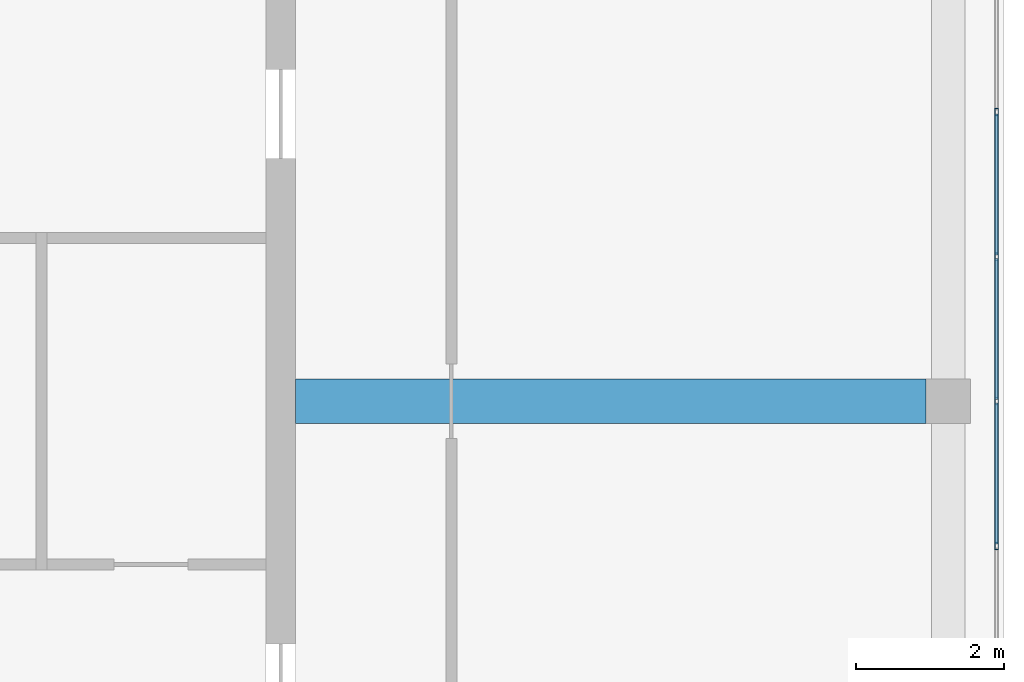
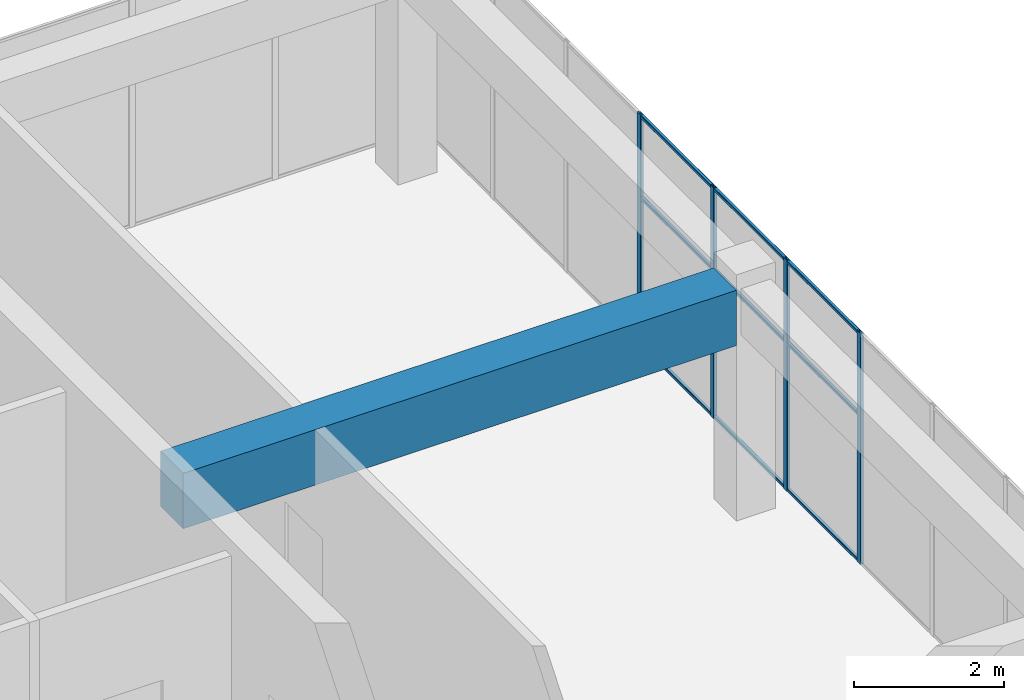
# One storey, part 15 of 32: 13 members, 1 beam, 1 element without a shape of its own.
"""IFC4 building model written with IfcOpenShell, lengths in metres."""

import ifcopenshell
import ifcopenshell.guid

model = None  # the IFC model being written
_history = None  # IfcOwnerHistory: only IFC2X3 demands one
_inside = {}  # id of a spatial element -> (the spatial element, [elements in it])
_under = {}  # id of a project, library or spatial element -> (it, [spatial elements below it])
_declared = {}  # id of a project -> (the project, [libraries it declares])
_typed = {}  # id of a type object -> (the type object, [elements of that type])
_made_of = {}  # id of a material, layer set ... -> (it, [elements and type objects made of it])


def new_model(schema):
    """Start an empty IFC model of exactly this schema.

    Asked for "IFC4X3", IfcOpenShell would pick the latest addendum, in which some entities
    have other attributes; the version numbers below select the first issue.
    IFC2X3 requires an IfcOwnerHistory on every rooted entity: one is made here for all.
    """
    global model, _history
    if schema == "IFC4X3":
        model = ifcopenshell.file(schema_version=(4, 3, 0, 0))
    else:
        model = ifcopenshell.file(schema=schema)
    _inside.clear()
    _under.clear()
    _declared.clear()
    _typed.clear()
    _made_of.clear()
    _history = None
    if model.schema == "IFC2X3":
        org = make("IfcOrganization", Name="unknown")
        user = make(
            "IfcPersonAndOrganization",
            ThePerson=make("IfcPerson", FamilyName="unknown"),
            TheOrganization=org,
        )
        app = make(
            "IfcApplication",
            ApplicationDeveloper=org,
            Version="unknown",
            ApplicationFullName="unknown",
            ApplicationIdentifier="unknown",
        )
        _history = make(
            "IfcOwnerHistory",
            OwningUser=user,
            OwningApplication=app,
            ChangeAction="ADDED",
            CreationDate=0,
        )
    return model


def make(cls, **values):
    """One entity of the class cls with the attributes given. An attribute that is None is left unset."""
    return model.create_entity(
        cls, **{name: value for name, value in values.items() if value is not None}
    )


def rooted(cls, **values):
    """An entity with a GlobalId (a new one), such as an element, a storey or a relation."""
    return make(cls, GlobalId=ifcopenshell.guid.new(), OwnerHistory=_history, **values)


def si_unit(unit_type, name, prefix=None):
    """IfcSIUnit, for example si_unit("LENGTHUNIT", "METRE", prefix="MILLI")."""
    return make("IfcSIUnit", UnitType=unit_type, Prefix=prefix, Name=name)


def assignment(units):
    """IfcUnitAssignment: the units of a project."""
    return None if units is None else make("IfcUnitAssignment", Units=units)


def point(xyz):
    """IfcCartesianPoint."""
    return None if xyz is None else make("IfcCartesianPoint", Coordinates=xyz)


def direction(xyz):
    """IfcDirection."""
    return None if xyz is None else make("IfcDirection", DirectionRatios=xyz)


def frame(location, z_axis=None, x_axis=None):
    """IfcAxis2Placement3D, a coordinate frame: its origin and axes. An axis left out is left unset."""
    return make(
        "IfcAxis2Placement3D",
        Location=point(location),
        Axis=direction(z_axis),
        RefDirection=direction(x_axis),
    )


def frame_2d(location, x_axis=None):
    """IfcAxis2Placement2D, a coordinate frame in the plane: its origin and x axis."""
    return make(
        "IfcAxis2Placement2D", Location=point(location), RefDirection=direction(x_axis)
    )


def origin():
    """The frame at (0, 0, 0) with its axes left unset."""
    return frame((0.0, 0.0, 0.0))


def origin_2d():
    """The frame at (0, 0) in the plane with its x axis left unset."""
    return frame_2d((0.0, 0.0))


def place(relative_to, where):
    """IfcLocalPlacement: puts the frame where relative to a parent placement (None: the world)."""
    return make(
        "IfcLocalPlacement", PlacementRelTo=relative_to, RelativePlacement=where
    )


def context(
    kind, dimensions, precision=None, world=None, true_north=None, identifier=None
):
    """IfcGeometricRepresentationContext, for example the 3D "Model" context."""
    return make(
        "IfcGeometricRepresentationContext",
        ContextIdentifier=identifier,
        ContextType=kind,
        CoordinateSpaceDimension=dimensions,
        Precision=precision,
        WorldCoordinateSystem=world,
        TrueNorth=true_north,
    )


def subcontext(parent, identifier, kind, view, scale=None):
    """IfcGeometricRepresentationSubContext, for example "Body" below "Model"."""
    return make(
        "IfcGeometricRepresentationSubContext",
        ContextIdentifier=identifier,
        ContextType=kind,
        ParentContext=parent,
        TargetScale=scale,
        TargetView=view,
    )


def project(units=None, contexts=None):
    """IfcProject with its units and contexts."""
    return rooted(
        "IfcProject",
        Name="project",
        RepresentationContexts=contexts,
        UnitsInContext=assignment(units),
    )


def spatial(cls, under=None, at=None, **own):
    """A site, building, storey or space (cls), placed at a placement, below another one or the project."""
    s = rooted(cls, ObjectPlacement=at, **own)
    if under is not None:
        _under.setdefault(under.id(), (under, []))[1].append(s)
    return s


def profile(cls, at=None, kind="AREA", **sizes):
    """A parametric profile (cls). Its sizes go by their IFC names, for example OverallWidth=200.0."""
    return make(cls, ProfileType=kind, Position=at, **sizes)


def rectangle(**sizes):
    """IfcRectangleProfileDef."""
    return profile("IfcRectangleProfileDef", **sizes)


def hollow_rectangle(**sizes):
    """IfcRectangleHollowProfileDef."""
    return profile("IfcRectangleHollowProfileDef", **sizes)


def extrude(swept, where, along, depth):
    """IfcExtrudedAreaSolid: the profile swept, set in the frame where, extruded along a direction by depth."""
    return make(
        "IfcExtrudedAreaSolid",
        SweptArea=swept,
        Position=where,
        ExtrudedDirection=direction(along),
        Depth=depth,
    )


def shape(context_of_items, identifier, shape_type, items):
    """IfcShapeRepresentation: the items that make up one representation, for example the "Body"."""
    return make(
        "IfcShapeRepresentation",
        ContextOfItems=context_of_items,
        RepresentationIdentifier=identifier,
        RepresentationType=shape_type,
        Items=items,
    )


def material(Name=None, Category=None):
    """IfcMaterial."""
    return make("IfcMaterial", Name=Name, Category=Category)


def layer(
    of_material, thickness, ventilated=None, Name=None, Category=None, Priority=None
):
    """IfcMaterialLayer: one layer of a wall or slab, of a material (None: an air gap)."""
    return make(
        "IfcMaterialLayer",
        Material=of_material,
        LayerThickness=thickness,
        IsVentilated=ventilated,
        Name=Name,
        Category=Category,
        Priority=Priority,
    )


def layer_set(layers, Name=None):
    """IfcMaterialLayerSet."""
    return make("IfcMaterialLayerSet", MaterialLayers=layers, LayerSetName=Name)


def material_profile(
    of_material, cross_section, Name=None, Category=None, Priority=None
):
    """IfcMaterialProfile: a cross section and its material."""
    return make(
        "IfcMaterialProfile",
        Name=Name,
        Material=of_material,
        Profile=cross_section,
        Priority=Priority,
        Category=Category,
    )


def profile_set(profiles, Name=None, composite=None):
    """IfcMaterialProfileSet."""
    return make(
        "IfcMaterialProfileSet",
        Name=Name,
        MaterialProfiles=profiles,
        CompositeProfile=composite,
    )


def made_of(thing, what):
    """Note that an element or type object is made of a material, layer set ...; save() writes the relation."""
    if what is not None:
        _made_of.setdefault(what.id(), (what, []))[1].append(thing)
    return thing


def type_object(cls, material=None, **own):
    """A type object (cls), such as IfcWallType, which elements share."""
    return made_of(rooted(cls, **own), material)


def element(
    cls,
    number,
    at=None,
    inside=None,
    cuts=None,
    type_object=None,
    material=None,
    context=None,
    identifier="Body",
    shape_type=None,
    held_by="IfcProductDefinitionShape",
    body=None,
    shapes=None,
    **own,
):
    """One element of the class cls, such as IfcWall. Its Tag is "e" and its number.

    at: its placement. inside: the storey or other place that contains it. cuts: it is an
    opening in that element (IfcRelVoidsElement). A single representation is given by context,
    identifier, shape_type and body (its items); several are given by shapes. held_by: the class
    of the entity that holds the representations. save() writes the other relations.
    """
    e = rooted(cls, Tag="e%d" % number, ObjectPlacement=at, **own)
    if body is not None:
        shapes = [shape(context, identifier, shape_type, body)]
    if shapes is not None:
        e.Representation = make(held_by, Representations=shapes)
    if inside is not None:
        _inside.setdefault(inside.id(), (inside, []))[1].append(e)
    if cuts is not None:
        rooted(
            "IfcRelVoidsElement", RelatingBuildingElement=cuts, RelatedOpeningElement=e
        )
    if type_object is not None:
        _typed.setdefault(type_object.id(), (type_object, []))[1].append(e)
    return made_of(e, material)


def aggregate(whole, parts):
    """IfcRelAggregates: a whole, such as a stair, and the parts it consists of."""
    return rooted("IfcRelAggregates", RelatingObject=whole, RelatedObjects=parts)


def save(model, path):
    """Write the relations noted so far, then the file.

    IfcRelAggregates (storeys below a building ...), IfcRelContainedInSpatialStructure (elements
    in a storey), IfcRelDefinesByType, IfcRelAssociatesMaterial and IfcRelDeclares: one each for
    every whole, place, type object, material and project.
    """
    for whole, parts in _under.values():
        aggregate(whole, parts)
    for where, things in _inside.values():
        rooted(
            "IfcRelContainedInSpatialStructure",
            RelatedElements=things,
            RelatingStructure=where,
        )
    for kind, things in _typed.values():
        rooted("IfcRelDefinesByType", RelatedObjects=things, RelatingType=kind)
    for what, things in _made_of.values():
        rooted("IfcRelAssociatesMaterial", RelatedObjects=things, RelatingMaterial=what)
    for by, libraries in _declared.values():
        rooted("IfcRelDeclares", RelatingContext=by, RelatedDefinitions=libraries)
    model.write(path)


model = new_model("IFC4")

# Units and contexts
model_context = context("Model", 3, precision=1e-05, world=origin(), true_north=direction((0.0, 1.0)))
body_context = subcontext(model_context, "Body", "Model", "MODEL_VIEW")
ifc_project = project(units=[si_unit("LENGTHUNIT", "METRE"), si_unit("AREAUNIT", "SQUARE_METRE"), si_unit("VOLUMEUNIT", "CUBIC_METRE"), si_unit("PLANEANGLEUNIT", "RADIAN"), si_unit("MASSUNIT", "GRAM", prefix="KILO")], contexts=[model_context])

# Site, building, storey
site_placement = place(None, origin())
site = spatial("IfcSite", under=ifc_project, at=site_placement, CompositionType="ELEMENT")
building_placement = place(site_placement, origin())
building = spatial("IfcBuilding", under=site, at=building_placement, Name="Tuart Plaza Theatre", CompositionType="ELEMENT")
storey_placement = place(building_placement, frame((0.0, 0.0, 41.5)))
storey = spatial("IfcBuildingStorey", under=building, at=storey_placement, Name="L10", CompositionType="ELEMENT", Elevation=41.5)

# Beam
ifc_material_1 = material(Name="Concrete N40 (40 MPa)", Category="concrete")
ifc_material_profile_1 = material_profile(ifc_material_1, rectangle(XDim=0.60009765625, YDim=0.89990234375, at=origin_2d()), Name="BEAM 600x900 Concrete N40 (40 MPa)")
ifc_profile_set_1 = profile_set([ifc_material_profile_1], Name="Concrete N40 (40 MPa)")
beam_type = type_object("IfcBeamType", Name="BEAM 600x900 Concrete N40 (40 MPa)", PredefinedType="BEAM", material=ifc_profile_set_1)
beam_placement = place(storey_placement, frame((141.199951171875, 74.0, 3.300048828125), z_axis=(1.0, 0.0, 0.0), x_axis=(0.0, 1.0, 0.0)))
element("IfcBeam", 1, at=beam_placement, inside=storey, type_object=beam_type, Name="RB307", PredefinedType="BEAM", context=body_context, shape_type="SweptSolid", body=[
    extrude(rectangle(XDim=0.60009765625, YDim=0.89990234375, at=origin_2d()), origin(), (0.0, 0.0, 1.0), 8.5),
])

# Curtain wall, members
ifc_material_2 = material(Name="Aluminium and glass", Category="aluminium")
ifc_layer = layer(ifc_material_2, 0.10009765625)
ifc_layer_set = layer_set([ifc_layer], Name="CURTAIN WALL 2000 module")
curtain_wall_type = type_object("IfcCurtainWallType", Name="CURTAIN WALL 2000 module", PredefinedType="NOTDEFINED", material=ifc_layer_set)
curtain_wall_placement = place(storey_placement, origin())
curtain_wall = element("IfcCurtainWall", 2, at=curtain_wall_placement, inside=storey, type_object=curtain_wall_type, Name="CW102", PredefinedType="NOTDEFINED")
ifc_material_3 = material(Name="Aluminium 6063-T5", Category="aluminium")
ifc_material_profile_2 = material_profile(ifc_material_3, hollow_rectangle(XDim=0.050048828125, YDim=0.10009765625, WallThickness=0.00390625, InnerFilletRadius=0.00390625, OuterFilletRadius=0.008056640625, at=origin_2d()), Name="RHS 100x50x4")
ifc_profile_set_2 = profile_set([ifc_material_profile_2], Name="Aluminium 6063-T5")
member_type_1 = type_object("IfcMemberType", Name="MULLION RHS 100x50x4", PredefinedType="MULLION", material=ifc_profile_set_2)
member_1_placement = place(storey_placement, frame((150.64990234375, 72.050048828125, 0.0), z_axis=(0.0, 0.0, 1.0), x_axis=(-1.0, 0.0, 0.0)))
member_1 = element("IfcMember", 3, at=member_1_placement, type_object=member_type_1, Name="CW102 mullion 5", PredefinedType="MULLION", context=body_context, shape_type="SweptSolid", body=[
    extrude(hollow_rectangle(XDim=0.050048828125, YDim=0.10009765625, WallThickness=0.00390625, InnerFilletRadius=0.00390625, OuterFilletRadius=0.008056640625, at=origin_2d()), origin(), (0.0, 0.0, 1.0), 3.75),
])
member_2_placement = place(storey_placement, frame((150.64990234375, 74.0, 0.0), z_axis=(0.0, 0.0, 1.0), x_axis=(-1.0, 0.0, 0.0)))
member_2 = element("IfcMember", 4, at=member_2_placement, type_object=member_type_1, Name="CW102 mullion 6", PredefinedType="MULLION", context=body_context, shape_type="SweptSolid", body=[
    extrude(hollow_rectangle(XDim=0.050048828125, YDim=0.10009765625, WallThickness=0.00390625, InnerFilletRadius=0.00390625, OuterFilletRadius=0.008056640625, at=origin_2d()), origin(), (0.0, 0.0, 1.0), 3.75),
])
member_3_placement = place(storey_placement, frame((150.64990234375, 75.949951171875, 0.0), z_axis=(0.0, 0.0, 1.0), x_axis=(-1.0, 0.0, 0.0)))
member_3 = element("IfcMember", 5, at=member_3_placement, type_object=member_type_1, Name="CW102 mullion 7", PredefinedType="MULLION", context=body_context, shape_type="SweptSolid", body=[
    extrude(hollow_rectangle(XDim=0.050048828125, YDim=0.10009765625, WallThickness=0.00390625, InnerFilletRadius=0.00390625, OuterFilletRadius=0.008056640625, at=origin_2d()), origin(), (0.0, 0.0, 1.0), 3.75),
])
member_4_placement = place(storey_placement, frame((150.64990234375, 77.89990234375, 0.0), z_axis=(0.0, 0.0, 1.0), x_axis=(-1.0, 0.0, 0.0)))
member_4 = element("IfcMember", 6, at=member_4_placement, type_object=member_type_1, Name="CW102 mullion 8", PredefinedType="MULLION", context=body_context, shape_type="SweptSolid", body=[
    extrude(hollow_rectangle(XDim=0.050048828125, YDim=0.10009765625, WallThickness=0.00390625, InnerFilletRadius=0.00390625, OuterFilletRadius=0.008056640625, at=origin_2d()), origin(), (0.0, 0.0, 1.0), 3.75),
])
ifc_material_4 = material(Name="Aluminium 6063-T5", Category="aluminium")
ifc_material_profile_3 = material_profile(ifc_material_4, hollow_rectangle(XDim=0.050048828125, YDim=0.050048828125, WallThickness=0.00390625, InnerFilletRadius=0.00390625, OuterFilletRadius=0.008056640625, at=origin_2d()), Name="RHS 50x50x4")
ifc_profile_set_3 = profile_set([ifc_material_profile_3], Name="Aluminium 6063-T5")
member_type_2 = type_object("IfcMemberType", Name="TRANSOM RHS 50x50x4", PredefinedType="USERDEFINED", material=ifc_profile_set_3)
member_5_placement = place(storey_placement, frame((150.64990234375, 72.074951171875, 0.02490234375), z_axis=(0.0, 1.0, 0.0), x_axis=(-1.0, 0.0, 0.0)))
member_5 = element("IfcMember", 7, at=member_5_placement, type_object=member_type_2, Name="CW102 transom 5.1", ObjectType="TRANSOM", PredefinedType="USERDEFINED", context=body_context, shape_type="SweptSolid", body=[
    extrude(hollow_rectangle(XDim=0.050048828125, YDim=0.050048828125, WallThickness=0.00390625, InnerFilletRadius=0.00390625, OuterFilletRadius=0.008056640625, at=origin_2d()), origin(), (0.0, 0.0, 1.0), 1.900146484375),
])
member_6_placement = place(storey_placement, frame((150.64990234375, 72.074951171875, 2.39990234375), z_axis=(0.0, 1.0, 0.0), x_axis=(-1.0, 0.0, 0.0)))
member_6 = element("IfcMember", 8, at=member_6_placement, type_object=member_type_2, Name="CW102 transom 5.2", ObjectType="TRANSOM", PredefinedType="USERDEFINED", context=body_context, shape_type="SweptSolid", body=[
    extrude(hollow_rectangle(XDim=0.050048828125, YDim=0.050048828125, WallThickness=0.00390625, InnerFilletRadius=0.00390625, OuterFilletRadius=0.008056640625, at=origin_2d()), origin(), (0.0, 0.0, 1.0), 1.900146484375),
])
member_7_placement = place(storey_placement, frame((150.64990234375, 72.074951171875, 3.72509765625), z_axis=(0.0, 1.0, 0.0), x_axis=(-1.0, 0.0, 0.0)))
member_7 = element("IfcMember", 9, at=member_7_placement, type_object=member_type_2, Name="CW102 transom 5.3", ObjectType="TRANSOM", PredefinedType="USERDEFINED", context=body_context, shape_type="SweptSolid", body=[
    extrude(hollow_rectangle(XDim=0.050048828125, YDim=0.050048828125, WallThickness=0.00390625, InnerFilletRadius=0.00390625, OuterFilletRadius=0.008056640625, at=origin_2d()), origin(), (0.0, 0.0, 1.0), 1.900146484375),
])
member_8_placement = place(storey_placement, frame((150.64990234375, 74.02490234375, 0.02490234375), z_axis=(0.0, 1.0, 0.0), x_axis=(-1.0, 0.0, 0.0)))
member_8 = element("IfcMember", 10, at=member_8_placement, type_object=member_type_2, Name="CW102 transom 6.1", ObjectType="TRANSOM", PredefinedType="USERDEFINED", context=body_context, shape_type="SweptSolid", body=[
    extrude(hollow_rectangle(XDim=0.050048828125, YDim=0.050048828125, WallThickness=0.00390625, InnerFilletRadius=0.00390625, OuterFilletRadius=0.008056640625, at=origin_2d()), origin(), (0.0, 0.0, 1.0), 1.900146484375),
])
member_9_placement = place(storey_placement, frame((150.64990234375, 74.02490234375, 2.39990234375), z_axis=(0.0, 1.0, 0.0), x_axis=(-1.0, 0.0, 0.0)))
member_9 = element("IfcMember", 11, at=member_9_placement, type_object=member_type_2, Name="CW102 transom 6.2", ObjectType="TRANSOM", PredefinedType="USERDEFINED", context=body_context, shape_type="SweptSolid", body=[
    extrude(hollow_rectangle(XDim=0.050048828125, YDim=0.050048828125, WallThickness=0.00390625, InnerFilletRadius=0.00390625, OuterFilletRadius=0.008056640625, at=origin_2d()), origin(), (0.0, 0.0, 1.0), 1.900146484375),
])
member_10_placement = place(storey_placement, frame((150.64990234375, 74.02490234375, 3.72509765625), z_axis=(0.0, 1.0, 0.0), x_axis=(-1.0, 0.0, 0.0)))
member_10 = element("IfcMember", 12, at=member_10_placement, type_object=member_type_2, Name="CW102 transom 6.3", ObjectType="TRANSOM", PredefinedType="USERDEFINED", context=body_context, shape_type="SweptSolid", body=[
    extrude(hollow_rectangle(XDim=0.050048828125, YDim=0.050048828125, WallThickness=0.00390625, InnerFilletRadius=0.00390625, OuterFilletRadius=0.008056640625, at=origin_2d()), origin(), (0.0, 0.0, 1.0), 1.900146484375),
])
member_11_placement = place(storey_placement, frame((150.64990234375, 75.97509765625, 0.02490234375), z_axis=(0.0, 1.0, 0.0), x_axis=(-1.0, 0.0, 0.0)))
member_11 = element("IfcMember", 13, at=member_11_placement, type_object=member_type_2, Name="CW102 transom 7.1", ObjectType="TRANSOM", PredefinedType="USERDEFINED", context=body_context, shape_type="SweptSolid", body=[
    extrude(hollow_rectangle(XDim=0.050048828125, YDim=0.050048828125, WallThickness=0.00390625, InnerFilletRadius=0.00390625, OuterFilletRadius=0.008056640625, at=origin_2d()), origin(), (0.0, 0.0, 1.0), 1.89990234375),
])
member_12_placement = place(storey_placement, frame((150.64990234375, 75.97509765625, 2.39990234375), z_axis=(0.0, 1.0, 0.0), x_axis=(-1.0, 0.0, 0.0)))
member_12 = element("IfcMember", 14, at=member_12_placement, type_object=member_type_2, Name="CW102 transom 7.2", ObjectType="TRANSOM", PredefinedType="USERDEFINED", context=body_context, shape_type="SweptSolid", body=[
    extrude(hollow_rectangle(XDim=0.050048828125, YDim=0.050048828125, WallThickness=0.00390625, InnerFilletRadius=0.00390625, OuterFilletRadius=0.008056640625, at=origin_2d()), origin(), (0.0, 0.0, 1.0), 1.89990234375),
])
member_13_placement = place(storey_placement, frame((150.64990234375, 75.97509765625, 3.72509765625), z_axis=(0.0, 1.0, 0.0), x_axis=(-1.0, 0.0, 0.0)))
member_13 = element("IfcMember", 15, at=member_13_placement, type_object=member_type_2, Name="CW102 transom 7.3", ObjectType="TRANSOM", PredefinedType="USERDEFINED", context=body_context, shape_type="SweptSolid", body=[
    extrude(hollow_rectangle(XDim=0.050048828125, YDim=0.050048828125, WallThickness=0.00390625, InnerFilletRadius=0.00390625, OuterFilletRadius=0.008056640625, at=origin_2d()), origin(), (0.0, 0.0, 1.0), 1.89990234375),
])
aggregate(curtain_wall, [member_1, member_2, member_3, member_4, member_5, member_6, member_7, member_8, member_9, member_10, member_11, member_12, member_13])

save(model, "model.ifc")
